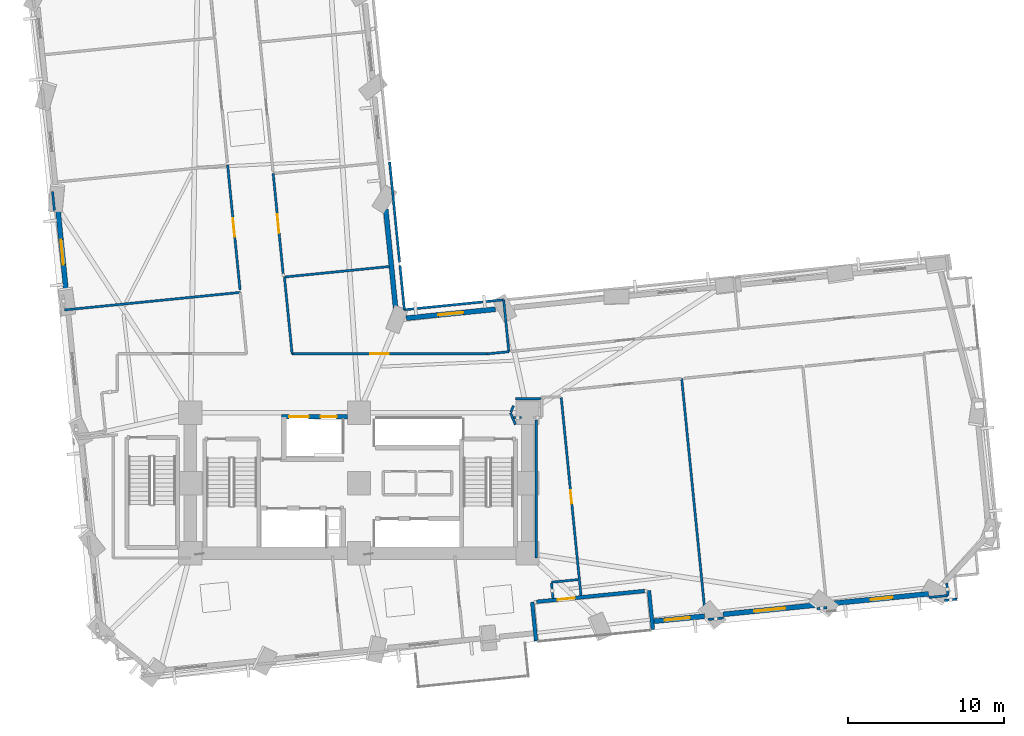
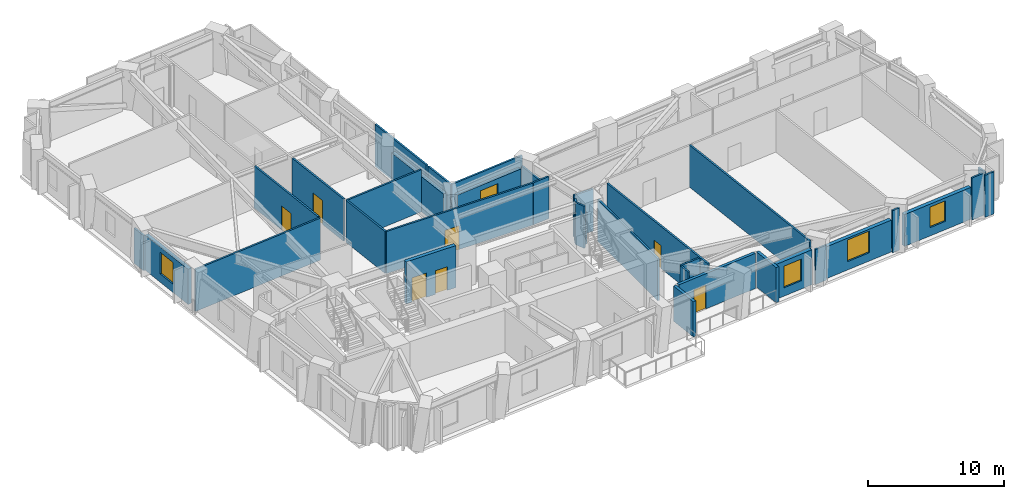
# One storey, part 9 of 16: 36 walls, 7 doors, 5 windows, 12 openings.
"""IFC4 building model written with IfcOpenShell, lengths in metres."""

from ifc_helpers import new_model, si_unit, direction, frame, frame_2d, origin, place, context, subcontext, project, spatial, rectangle, extrude, material, layer, layer_set, type_object, element, fill, save


model = new_model("IFC4")

# Units and contexts
model_context = context("Model", 3, precision=1e-05, world=origin(), true_north=direction((0.0, 1.0)))
body_context = subcontext(model_context, "Body", "Model", "MODEL_VIEW")
ifc_project = project(units=[si_unit("LENGTHUNIT", "METRE"), si_unit("AREAUNIT", "SQUARE_METRE"), si_unit("VOLUMEUNIT", "CUBIC_METRE"), si_unit("PLANEANGLEUNIT", "RADIAN"), si_unit("MASSUNIT", "GRAM", prefix="KILO")], contexts=[model_context])

# Site, building, storey
site_placement = place(None, origin())
site = spatial("IfcSite", under=ifc_project, at=site_placement, CompositionType="ELEMENT")
building_placement = place(site_placement, origin())
building = spatial("IfcBuilding", under=site, at=building_placement, Name="Gaonmaruhae Medical Tower", CompositionType="ELEMENT")
storey_placement = place(building_placement, frame((0.0, 0.0, 47.0)))
storey = spatial("IfcBuildingStorey", under=building, at=storey_placement, Name="L10", CompositionType="ELEMENT", Elevation=47.0)

# Wall, opening, door
ifc_material_1 = material(Name="Precast concrete C45/55", Category="concrete")
ifc_layer_1 = layer(ifc_material_1, 0.239990234375)
ifc_layer_set_1 = layer_set([ifc_layer_1], Name="Precast concrete C45/55")
wall_type_1 = type_object("IfcWallType", Name="EW-240 Ribbon & Shelter Insulated Precast Wall", PredefinedType="SOLIDWALL", material=ifc_layer_set_1)
wall_1_placement = place(storey_placement, frame((43.10205078125, 5.3876953125, 0.0), z_axis=(0.0, 0.0, 1.0), x_axis=(-0.995056966999, -0.099305752232, 0.0)))
wall_1 = element("IfcWall", 1, at=wall_1_placement, inside=storey, type_object=wall_type_1, Name="L10 Recessed Terrace Enclosure Wall TERB", PredefinedType="SOLIDWALL", context=body_context, shape_type="SweptSolid", body=[
    extrude(rectangle(XDim=6.9599609375, YDim=0.239990234375, at=frame_2d((3.47998046875, 0.0))), origin(), (0.0, 0.0, 1.0), 3.1650390625),
])
opening_1_placement = place(wall_1_placement, frame((4.48681640625, 0.0, 0.0)))
opening_1 = element("IfcOpeningElement", 2, at=opening_1_placement, cuts=wall_1, Name="Opening TD-01", PredefinedType="OPENING", context=body_context, shape_type="SweptSolid", body=[
    extrude(rectangle(XDim=1.10009765625, YDim=2.14990234375, at=frame_2d((0.550048828125, 1.074951171875))), frame((0.0, 0.1298828125, 0.0), z_axis=(0.0, -1.0, 0.0), x_axis=(1.0, 0.0, 0.0)), (0.0, 0.0, 1.0), 0.260009765625),
])
ifc_material_2 = material(Name="Anodised aluminium and toughened safety glass", Category="aluminium")
door_type_1 = type_object("IfcDoorType", Name="TD-01 Terrace & Sky Garden Glazed Door 1100x2150", OperationType="NOTDEFINED", PredefinedType="DOOR", material=ifc_material_2)
door_1_placement = place(opening_1_placement, origin())
door_1 = element("IfcDoor", 3, at=door_1_placement, inside=storey, type_object=door_type_1, Name="L10 Outdoor Terrace Access Door SLB-L10-TER", OperationType="SINGLE_SWING_RIGHT", OverallHeight=2.14990234375, OverallWidth=1.10009765625, PredefinedType="DOOR", context=body_context, shape_type="SweptSolid", body=[
    extrude(rectangle(XDim=1.10009765625, YDim=2.14990234375, at=frame_2d((0.550048828125, 1.074951171875))), frame((0.0, 0.02490234375, 0.0), z_axis=(0.0, -1.0, 0.0), x_axis=(1.0, 0.0, 0.0)), (0.0, 0.0, 1.0), 0.050048828125),
])
fill(opening_1, door_1)

# Walls
wall_2_placement = place(storey_placement, frame((35.897705078125, 4.668701171875, 0.0), z_axis=(0.0, 0.0, 1.0), x_axis=(0.099310350221, -0.995056508113, 0.0)))
element("IfcWall", 4, at=wall_2_placement, inside=storey, type_object=wall_type_1, Name="L10 Recessed Terrace Enclosure Wall TERL", PredefinedType="SOLIDWALL", context=body_context, shape_type="SweptSolid", body=[
    extrude(rectangle(XDim=2.500244140625, YDim=0.239990234375, at=frame_2d((1.25, 0.0))), origin(), (0.0, 0.0, 1.0), 3.1650390625),
])
wall_3_placement = place(storey_placement, frame((43.62890625, 2.927978515625, 0.0), z_axis=(0.0, 0.0, 1.0), x_axis=(-0.099320000899, 0.995055544893, 0.0)))
element("IfcWall", 5, at=wall_3_placement, inside=storey, type_object=wall_type_1, Name="L10 Recessed Terrace Enclosure Wall TERR", PredefinedType="SOLIDWALL", context=body_context, shape_type="SweptSolid", body=[
    extrude(rectangle(XDim=2.5, YDim=0.239990234375, at=frame_2d((1.25, 0.0))), origin(), (0.0, 0.0, 1.0), 3.1650390625),
])

# Wall, opening, window
ifc_layer_2 = layer(ifc_material_1, 0.320068359375)
ifc_layer_set_2 = layer_set([ifc_layer_2], Name="Precast concrete C45/55")
wall_type_2 = type_object("IfcWallType", Name="EW-320 Lower Precast Masonry-Frame Facade Wall", PredefinedType="SOLIDWALL", material=ifc_layer_set_2)
wall_4_placement = place(storey_placement, frame((46.938232421875, 3.770751953125, 0.0), z_axis=(0.0, 0.0, 1.0), x_axis=(-0.995059489142, -0.099280476769, 0.0)))
wall_4 = element("IfcWall", 6, at=wall_4_placement, inside=storey, type_object=wall_type_2, Name="L10 Precast Masonry-Frame Wall S05-S06", PredefinedType="SOLIDWALL", context=body_context, shape_type="SweptSolid", body=[
    extrude(rectangle(XDim=3.356689453125, YDim=0.320068359375, at=frame_2d((1.67822265625, 0.0))), origin(), (0.0, 0.0, 1.0), 3.14501953125),
])
opening_2_placement = place(wall_4_placement, frame((0.955078125, 0.0, 0.75)))
opening_2 = element("IfcOpeningElement", 7, at=opening_2_placement, cuts=wall_4, Name="Opening WN-01", PredefinedType="OPENING", context=body_context, shape_type="SweptSolid", body=[
    extrude(rectangle(XDim=1.60009765625, YDim=1.949951171875, at=frame_2d((0.800048828125, 0.97509765625))), frame((0.0, 0.169921875, 0.0), z_axis=(0.0, -1.0, 0.0), x_axis=(1.0, 0.0, 0.0)), (0.0, 0.0, 1.0), 0.340087890625),
])
ifc_material_3 = material(Name="Anodised aluminium and Low-E double glazing", Category="aluminium")
window_type_1 = type_object("IfcWindowType", Name="WN-01 Ward Punched Acoustic Window 1600x1950", PartitioningType="SINGLE_PANEL", PredefinedType="WINDOW", material=ifc_material_3)
window_1_placement = place(opening_2_placement, origin())
window_1 = element("IfcWindow", 8, at=window_1_placement, inside=storey, type_object=window_type_1, Name="L10 Modular Facade Window S05", OverallHeight=1.949951171875, OverallWidth=1.60009765625, PartitioningType="SINGLE_PANEL", PredefinedType="WINDOW", context=body_context, shape_type="SweptSolid", body=[
    extrude(rectangle(XDim=1.60009765625, YDim=1.949951171875, at=frame_2d((0.800048828125, 0.97509765625))), frame((0.0, 0.030029296875, 0.0), z_axis=(0.0, -1.0, 0.0), x_axis=(1.0, 0.0, 0.0)), (0.0, 0.0, 1.0), 0.06005859375),
])
fill(opening_2, window_1)

wall_5_placement = place(storey_placement, frame((54.114990234375, 4.487060546875, 0.0), z_axis=(0.0, 0.0, 1.0), x_axis=(-0.99505526564, -0.099322798603, 0.0)))
wall_5 = element("IfcWall", 9, at=wall_5_placement, inside=storey, type_object=wall_type_2, Name="L10 Precast Masonry-Frame Wall S06-S07", PredefinedType="SOLIDWALL", context=body_context, shape_type="SweptSolid", body=[
    extrude(rectangle(XDim=6.012451171875, YDim=0.320068359375, at=frame_2d((3.00634765625, 0.0))), origin(), (0.0, 0.0, 1.0), 2.864990234375),
])
opening_3_placement = place(wall_5_placement, frame((2.009033203125, 0.0, 0.75)))
opening_3 = element("IfcOpeningElement", 10, at=opening_3_placement, cuts=wall_5, Name="Opening WN-02", PredefinedType="OPENING", context=body_context, shape_type="SweptSolid", body=[
    extrude(rectangle(XDim=2.0, YDim=1.949951171875, at=frame_2d((1.0, 0.97509765625))), frame((0.0, 0.169921875, 0.0), z_axis=(0.0, -1.0, 0.0), x_axis=(1.0, 0.0, 0.0)), (0.0, 0.0, 1.0), 0.340087890625),
])
window_type_2 = type_object("IfcWindowType", Name="WN-02 Double-Bed Ward Punched Window 2000x1950", PartitioningType="SINGLE_PANEL", PredefinedType="WINDOW", material=ifc_material_3)
window_2_placement = place(opening_3_placement, origin())
window_2 = element("IfcWindow", 11, at=window_2_placement, inside=storey, type_object=window_type_2, Name="L10 Modular Facade Window S06", OverallHeight=1.949951171875, OverallWidth=2.0, PartitioningType="SINGLE_PANEL", PredefinedType="WINDOW", context=body_context, shape_type="SweptSolid", body=[
    extrude(rectangle(XDim=2.0, YDim=1.949951171875, at=frame_2d((1.0, 0.97509765625))), frame((0.0, 0.030029296875, 0.0), z_axis=(0.0, -1.0, 0.0), x_axis=(1.0, 0.0, 0.0)), (0.0, 0.0, 1.0), 0.06005859375),
])
fill(opening_3, window_2)

wall_6_placement = place(storey_placement, frame((61.298095703125, 5.2041015625, 0.0), z_axis=(0.0, 0.0, 1.0), x_axis=(-0.99505556879, -0.099319761473, 0.0)))
wall_6 = element("IfcWall", 12, at=wall_6_placement, inside=storey, type_object=wall_type_2, Name="L10 Precast Masonry-Frame Wall S07-S08", PredefinedType="SOLIDWALL", context=body_context, shape_type="SweptSolid", body=[
    extrude(rectangle(XDim=6.04443359375, YDim=0.320068359375, at=frame_2d((3.022216796875, 0.0))), origin(), (0.0, 0.0, 1.0), 2.864990234375),
])
opening_4_placement = place(wall_6_placement, frame((2.32666015625, 0.0, 0.75)))
opening_4 = element("IfcOpeningElement", 13, at=opening_4_placement, cuts=wall_6, Name="Opening WN-03", PredefinedType="OPENING", context=body_context, shape_type="SweptSolid", body=[
    extrude(rectangle(XDim=1.39990234375, YDim=1.85009765625, at=frame_2d((0.699951171875, 0.925048828125))), frame((0.0, 0.169921875, 0.0), z_axis=(0.0, -1.0, 0.0), x_axis=(1.0, 0.0, 0.0)), (0.0, 0.0, 1.0), 0.340087890625),
])
window_type_3 = type_object("IfcWindowType", Name="WN-03 Isolation Ward Punched Window 1400x1850", PartitioningType="SINGLE_PANEL", PredefinedType="WINDOW", material=ifc_material_3)
window_3_placement = place(opening_4_placement, origin())
window_3 = element("IfcWindow", 14, at=window_3_placement, inside=storey, type_object=window_type_3, Name="L10 Modular Facade Window S07", OverallHeight=1.85009765625, OverallWidth=1.39990234375, PartitioningType="SINGLE_PANEL", PredefinedType="WINDOW", context=body_context, shape_type="SweptSolid", body=[
    extrude(rectangle(XDim=1.39990234375, YDim=1.85009765625, at=frame_2d((0.699951171875, 0.925048828125))), frame((0.0, 0.030029296875, 0.0), z_axis=(0.0, -1.0, 0.0), x_axis=(1.0, 0.0, 0.0)), (0.0, 0.0, 1.0), 0.06005859375),
])
fill(opening_4, window_3)

wall_7_placement = place(storey_placement, frame((27.83056640625, 22.867431640625, 0.0), z_axis=(0.0, 0.0, 1.0), x_axis=(0.995057817693, 0.099297227797, 0.0)))
wall_7 = element("IfcWall", 15, at=wall_7_placement, inside=storey, type_object=wall_type_2, Name="L10 Precast Masonry-Frame Wall EN04-KN01", PredefinedType="SOLIDWALL", context=body_context, shape_type="SweptSolid", body=[
    extrude(rectangle(XDim=5.736083984375, YDim=0.320068359375, at=frame_2d((2.8681640625, 0.0))), origin(), (0.0, 0.0, 1.0), 3.1650390625),
])
opening_5_placement = place(wall_7_placement, frame((2.068603515625, 0.0, 0.75)))
opening_5 = element("IfcOpeningElement", 16, at=opening_5_placement, cuts=wall_7, Name="Opening WN-01", PredefinedType="OPENING", context=body_context, shape_type="SweptSolid", body=[
    extrude(rectangle(XDim=1.60009765625, YDim=1.949951171875, at=frame_2d((0.800048828125, 0.97509765625))), frame((0.0, 0.169921875, 0.0), z_axis=(0.0, -1.0, 0.0), x_axis=(1.0, 0.0, 0.0)), (0.0, 0.0, 1.0), 0.340087890625),
])
window_4_placement = place(opening_5_placement, origin())
window_4 = element("IfcWindow", 17, at=window_4_placement, inside=storey, type_object=window_type_1, Name="L10 Modular Facade Window EN04", OverallHeight=1.949951171875, OverallWidth=1.60009765625, PartitioningType="SINGLE_PANEL", PredefinedType="WINDOW", context=body_context, shape_type="SweptSolid", body=[
    extrude(rectangle(XDim=1.60009765625, YDim=1.949951171875, at=frame_2d((0.800048828125, 0.97509765625))), frame((0.0, 0.030029296875, 0.0), z_axis=(0.0, -1.0, 0.0), x_axis=(1.0, 0.0, 0.0)), (0.0, 0.0, 1.0), 0.06005859375),
])
fill(opening_5, window_4)

# Wall
wall_8_placement = place(storey_placement, frame((27.16162109375, 23.35693359375, 0.0), z_axis=(0.0, 0.0, 1.0), x_axis=(-0.099359482889, 0.995051603265, 0.0)))
element("IfcWall", 18, at=wall_8_placement, inside=storey, type_object=wall_type_2, Name="L10 Precast Masonry-Frame Wall KN01-NE01", PredefinedType="SOLIDWALL", context=body_context, shape_type="SweptSolid", body=[
    extrude(rectangle(XDim=6.535888671875, YDim=0.320068359375, at=frame_2d((3.26806640625, 0.0))), origin(), (0.0, 0.0, 1.0), 3.1650390625),
])

# Wall, opening, window
wall_9_placement = place(storey_placement, frame((6.05419921875, 24.39208984375, 0.0), z_axis=(0.0, 0.0, 1.0), x_axis=(-0.099308134144, 0.995056729284, 0.0)))
wall_9 = element("IfcWall", 19, at=wall_9_placement, inside=storey, type_object=wall_type_2, Name="L10 Precast Masonry-Frame Wall W03-W04", PredefinedType="SOLIDWALL", context=body_context, shape_type="SweptSolid", body=[
    extrude(rectangle(XDim=5.43798828125, YDim=0.320068359375, at=frame_2d((2.718994140625, 0.0))), origin(), (0.0, 0.0, 1.0), 3.1650390625),
])
opening_6_placement = place(wall_9_placement, frame((1.918212890625, 0.0, 0.75)))
opening_6 = element("IfcOpeningElement", 20, at=opening_6_placement, cuts=wall_9, Name="Opening WN-01", PredefinedType="OPENING", context=body_context, shape_type="SweptSolid", body=[
    extrude(rectangle(XDim=1.60009765625, YDim=1.949951171875, at=frame_2d((0.800048828125, 0.97509765625))), frame((0.0, 0.169921875, 0.0), z_axis=(0.0, -1.0, 0.0), x_axis=(1.0, 0.0, 0.0)), (0.0, 0.0, 1.0), 0.340087890625),
])
window_5_placement = place(opening_6_placement, origin())
window_5 = element("IfcWindow", 21, at=window_5_placement, inside=storey, type_object=window_type_1, Name="L10 Modular Facade Window W03", OverallHeight=1.949951171875, OverallWidth=1.60009765625, PartitioningType="SINGLE_PANEL", PredefinedType="WINDOW", context=body_context, shape_type="SweptSolid", body=[
    extrude(rectangle(XDim=1.60009765625, YDim=1.949951171875, at=frame_2d((0.800048828125, 0.97509765625))), frame((0.0, 0.030029296875, 0.0), z_axis=(0.0, -1.0, 0.0), x_axis=(1.0, 0.0, 0.0)), (0.0, 0.0, 1.0), 0.06005859375),
])
fill(opening_6, window_5)

# Walls
ifc_material_4 = material(Name="Gypsum board partition", Category="gypsum")
ifc_layer_3 = layer(ifc_material_4, 0.14990234375)
ifc_layer_set_3 = layer_set([ifc_layer_3], Name="Gypsum board partition")
wall_type_3 = type_object("IfcWallType", Name="PW-150 Rated Clinical Corridor Partition", PredefinedType="PARTITIONING", material=ifc_layer_set_3)
wall_10_placement = place(storey_placement, frame((36.14990234375, 7.5, 0.0), z_axis=(0.0, 0.0, 1.0), x_axis=(0.0, 1.0, 0.0)))
element("IfcWall", 22, at=wall_10_placement, inside=storey, type_object=wall_type_3, Name="L10 Interior Partition L10-SUP04-23", PredefinedType="PARTITIONING", context=body_context, shape_type="SweptSolid", body=[
    extrude(rectangle(XDim=8.840087890625, YDim=0.14990234375, at=frame_2d((4.419921875, 0.0))), origin(), (0.0, 0.0, 1.0), 3.780029296875),
])
wall_11_placement = place(storey_placement, frame((34.822021484375, 16.050048828125, 0.0), z_axis=(0.0, 0.0, 1.0), x_axis=(-0.382050639738, 0.924141389981, 0.0)))
element("IfcWall", 23, at=wall_11_placement, inside=storey, type_object=wall_type_3, Name="L10 Interior Partition L10-SUP04-24", PredefinedType="PARTITIONING", context=body_context, shape_type="SweptSolid", body=[
    extrude(rectangle(XDim=0.8115234375, YDim=0.14990234375, at=frame_2d((0.40576171875, 0.0))), origin(), (0.0, 0.0, 1.0), 3.780029296875),
])
wall_12_placement = place(storey_placement, frame((34.531005859375, 16.845947265625, 0.0), z_axis=(0.0, 0.0, 1.0), x_axis=(0.382612233621, 0.923909020782, 0.0)))
element("IfcWall", 24, at=wall_12_placement, inside=storey, type_object=wall_type_3, Name="L10 Interior Partition L10-SUP04-25", PredefinedType="PARTITIONING", context=body_context, shape_type="SweptSolid", body=[
    extrude(rectangle(XDim=0.441650390625, YDim=0.14990234375, at=frame_2d((0.220703125, 0.0))), origin(), (0.0, 0.0, 1.0), 3.780029296875),
])
wall_13_placement = place(storey_placement, frame((34.699951171875, 16.5, 0.0), z_axis=(0.0, 0.0, 1.0), x_axis=(1.0, 0.0, 0.0)))
element("IfcWall", 25, at=wall_13_placement, inside=storey, type_object=wall_type_3, Name="L10 Interior Partition L10-SUP04-26", PredefinedType="PARTITIONING", context=body_context, shape_type="SweptSolid", body=[
    extrude(rectangle(XDim=0.525146484375, YDim=0.14990234375, at=frame_2d((0.2626953125, 0.0))), origin(), (0.0, 0.0, 1.0), 2.864990234375),
])
wall_14_placement = place(storey_placement, frame((36.449951171875, 17.699951171875, 0.0), z_axis=(0.0, 0.0, 1.0), x_axis=(-1.0, 0.0, 0.0)))
element("IfcWall", 26, at=wall_14_placement, inside=storey, type_object=wall_type_3, Name="L10 Interior Partition L10-SUP04-29", PredefinedType="PARTITIONING", context=body_context, shape_type="SweptSolid", body=[
    extrude(rectangle(XDim=1.619873046875, YDim=0.14990234375, at=frame_2d((0.81005859375, 0.0))), origin(), (0.0, 0.0, 1.0), 3.780029296875),
])

# Wall, opening, door
wall_15_placement = place(storey_placement, frame((37.759033203125, 17.77001953125, 0.0), z_axis=(0.0, 0.0, 1.0), x_axis=(0.099304762274, -0.995057065796, 0.0)))
wall_15 = element("IfcWall", 27, at=wall_15_placement, inside=storey, type_object=wall_type_3, Name="L10 Interior Partition L10-SUP04-31", PredefinedType="PARTITIONING", context=body_context, shape_type="SweptSolid", body=[
    extrude(rectangle(XDim=12.757080078125, YDim=0.14990234375, at=frame_2d((6.37841796875, 0.0))), origin(), (0.0, 0.0, 1.0), 3.780029296875),
])
opening_7_placement = place(wall_15_placement, frame((5.948486328125, 0.0, 0.0)))
opening_7 = element("IfcOpeningElement", 28, at=opening_7_placement, cuts=wall_15, Name="Opening AD-01", PredefinedType="OPENING", context=body_context, shape_type="SweptSolid", body=[
    extrude(rectangle(XDim=0.860107421875, YDim=2.06005859375, at=frame_2d((0.43017578125, 1.030029296875))), frame((0.0, 0.0849609375, 0.0), z_axis=(0.0, -1.0, 0.0), x_axis=(1.0, 0.0, 0.0)), (0.0, 0.0, 1.0), 0.169921875),
])
ifc_material_5 = material(Name="Powder-coated steel access door", Category="steel")
door_type_2 = type_object("IfcDoorType", Name="AD-01 Riser & Closet Access Fire Door 860x2060", OperationType="NOTDEFINED", PredefinedType="DOOR", material=ifc_material_5)
door_2_placement = place(opening_7_placement, origin())
door_2 = element("IfcDoor", 29, at=door_2_placement, inside=storey, type_object=door_type_2, Name="L10 Clinical Biomedical Charting Office Sliding Door", OperationType="SLIDING_TO_LEFT", OverallHeight=2.06005859375, OverallWidth=0.860107421875, PredefinedType="DOOR", context=body_context, shape_type="SweptSolid", body=[
    extrude(rectangle(XDim=0.860107421875, YDim=2.06005859375, at=frame_2d((0.43017578125, 1.030029296875))), frame((0.0, 0.02490234375, 0.0), z_axis=(0.0, -1.0, 0.0), x_axis=(1.0, 0.0, 0.0)), (0.0, 0.0, 1.0), 0.050048828125),
])
fill(opening_7, door_2)

# Walls
wall_16_placement = place(storey_placement, frame((38.822021484375, 6.115966796875, 0.0), z_axis=(0.0, 0.0, 1.0), x_axis=(-0.995052813777, -0.099347359275, 0.0)))
element("IfcWall", 30, at=wall_16_placement, inside=storey, type_object=wall_type_3, Name="L10 Interior Partition L10-SUP04-32", PredefinedType="PARTITIONING", context=body_context, shape_type="SweptSolid", body=[
    extrude(rectangle(XDim=1.700439453125, YDim=0.14990234375, at=frame_2d((0.85009765625, 0.0))), origin(), (0.0, 0.0, 1.0), 3.780029296875),
])
wall_17_placement = place(storey_placement, frame((37.135009765625, 5.89697265625, 0.0), z_axis=(0.0, 0.0, 1.0), x_axis=(0.099696320529, -0.995017911232, 0.0)))
element("IfcWall", 31, at=wall_17_placement, inside=storey, type_object=wall_type_3, Name="L10 Interior Partition L10-SUP04-33", PredefinedType="PARTITIONING", context=body_context, shape_type="SweptSolid", body=[
    extrude(rectangle(XDim=1.00390625, YDim=0.14990234375, at=frame_2d((0.501953125, 0.0))), origin(), (0.0, 0.0, 1.0), 3.780029296875),
])
wall_18_placement = place(storey_placement, frame((45.47509765625, 19.0009765625, 0.0), z_axis=(0.0, 0.0, 1.0), x_axis=(0.099277568745, -0.995059779282, 0.0)))
element("IfcWall", 32, at=wall_18_placement, inside=storey, type_object=wall_type_3, Name="L10 Interior Partition L10-SUP05-36", PredefinedType="PARTITIONING", context=body_context, shape_type="SweptSolid", body=[
    extrude(rectangle(XDim=15.177978515625, YDim=0.14990234375, at=frame_2d((7.5888671875, 0.0))), origin(), (0.0, 0.0, 1.0), 3.780029296875),
])
wall_19_placement = place(storey_placement, frame((54.779052734375, 4.322021484375, 0.0), z_axis=(0.0, 0.0, 1.0), x_axis=(-0.995059675203, -0.09927861192, 0.0)))
element("IfcWall", 33, at=wall_19_placement, inside=storey, type_object=wall_type_3, Name="L10 Interior Partition L10-SUP06-39", PredefinedType="PARTITIONING", context=body_context, shape_type="SweptSolid", body=[
    extrude(rectangle(XDim=0.644287109375, YDim=0.14990234375, at=frame_2d((0.322265625, 0.0))), origin(), (0.0, 0.0, 1.0), 3.780029296875),
])
wall_20_placement = place(storey_placement, frame((48.155029296875, 3.660888671875, 0.0), z_axis=(0.0, 0.0, 1.0), x_axis=(-0.99503719021, -0.099503719021, 0.0)))
element("IfcWall", 34, at=wall_20_placement, inside=storey, type_object=wall_type_3, Name="L10 Interior Partition L10-SUP06-40", PredefinedType="PARTITIONING", context=body_context, shape_type="SweptSolid", body=[
    extrude(rectangle(XDim=0.98388671875, YDim=0.14990234375, at=frame_2d((0.491943359375, 0.0))), origin(), (0.0, 0.0, 1.0), 3.14501953125),
])
wall_21_placement = place(storey_placement, frame((62.4609375, 5.885009765625, 0.0), z_axis=(0.0, 0.0, 1.0), x_axis=(0.099869938679, -0.995000500175, 0.0)))
element("IfcWall", 35, at=wall_21_placement, inside=storey, type_object=wall_type_3, Name="L10 Interior Partition L10-SUP07-43", PredefinedType="PARTITIONING", context=body_context, shape_type="SweptSolid", body=[
    extrude(rectangle(XDim=0.7919921875, YDim=0.14990234375, at=frame_2d((0.39599609375, 0.0))), origin(), (0.0, 0.0, 1.0), 3.780029296875),
])
wall_22_placement = place(storey_placement, frame((62.5400390625, 5.096923828125, 0.0), z_axis=(0.0, 0.0, 1.0), x_axis=(-0.995043107884, -0.099444524501, 0.0)))
element("IfcWall", 36, at=wall_22_placement, inside=storey, type_object=wall_type_3, Name="L10 Interior Partition L10-SUP07-44", PredefinedType="PARTITIONING", context=body_context, shape_type="SweptSolid", body=[
    extrude(rectangle(XDim=1.22509765625, YDim=0.14990234375, at=frame_2d((0.612548828125, 0.0))), origin(), (0.0, 0.0, 1.0), 3.780029296875),
])
wall_23_placement = place(storey_placement, frame((5.923095703125, 23.39404296875, 0.0), z_axis=(0.0, 0.0, 1.0), x_axis=(0.995058076509, 0.099294634167, 0.0)))
element("IfcWall", 37, at=wall_23_placement, inside=storey, type_object=wall_type_3, Name="L10 Interior Partition L10-WOF08-50", PredefinedType="PARTITIONING", context=body_context, shape_type="SweptSolid", body=[
    extrude(rectangle(XDim=11.329833984375, YDim=0.14990234375, at=frame_2d((5.6650390625, 0.0))), origin(), (0.0, 0.0, 1.0), 3.780029296875),
])

# Wall, opening, door
wall_24_placement = place(storey_placement, frame((16.382080078125, 32.678955078125, 0.0), z_axis=(0.0, 0.0, 1.0), x_axis=(0.099359401625, -0.995051611379, 0.0)))
wall_24 = element("IfcWall", 38, at=wall_24_placement, inside=storey, type_object=wall_type_3, Name="L10 Interior Partition L10-WOF09-54", PredefinedType="PARTITIONING", context=body_context, shape_type="SweptSolid", body=[
    extrude(rectangle(XDim=8.039794921875, YDim=0.14990234375, at=frame_2d((4.02001953125, 0.0))), origin(), (0.0, 0.0, 1.0), 3.780029296875),
])
opening_8_placement = place(wall_24_placement, frame((3.419921875, 0.0, 0.0)))
opening_8 = element("IfcOpeningElement", 39, at=opening_8_placement, cuts=wall_24, Name="Opening CD-02", PredefinedType="OPENING", context=body_context, shape_type="SweptSolid", body=[
    extrude(rectangle(XDim=1.199951171875, YDim=2.14990234375, at=frame_2d((0.60009765625, 1.074951171875))), frame((0.0, 0.0849609375, 0.0), z_axis=(0.0, -1.0, 0.0), x_axis=(1.0, 0.0, 0.0)), (0.0, 0.0, 1.0), 0.169921875),
])
ifc_material_6 = material(Name="Antimicrobial laminate timber fire door", Category="wood")
door_type_3 = type_object("IfcDoorType", Name="CD-02 Clinical Treatment & Procedure Door 1200x2150", OperationType="NOTDEFINED", PredefinedType="DOOR", material=ifc_material_6)
door_3_placement = place(opening_8_placement, origin())
door_3 = element("IfcDoor", 40, at=door_3_placement, inside=storey, type_object=door_type_3, Name="L10 Ward Physician Reporting Office Door", OperationType="SINGLE_SWING_LEFT", OverallHeight=2.14990234375, OverallWidth=1.199951171875, PredefinedType="DOOR", context=body_context, shape_type="SweptSolid", body=[
    extrude(rectangle(XDim=1.199951171875, YDim=2.14990234375, at=frame_2d((0.60009765625, 1.074951171875))), frame((0.0, 0.02490234375, 0.0), z_axis=(0.0, -1.0, 0.0), x_axis=(1.0, 0.0, 0.0)), (0.0, 0.0, 1.0), 0.050048828125),
])
fill(opening_8, door_3)

# Walls
wall_25_placement = place(storey_placement, frame((5.284912109375, 29.780029296875, 0.0), z_axis=(0.0, 0.0, 1.0), x_axis=(-0.099243554259, 0.995063172335, 0.0)))
element("IfcWall", 41, at=wall_25_placement, inside=storey, type_object=wall_type_3, Name="L10 Interior Partition L10-WOF09-56", PredefinedType="PARTITIONING", context=body_context, shape_type="SweptSolid", body=[
    extrude(rectangle(XDim=1.207763671875, YDim=0.14990234375, at=frame_2d((0.60400390625, 0.0))), origin(), (0.0, 0.0, 1.0), 3.1650390625),
])
wall_26_placement = place(storey_placement, frame((20.02294921875, 25.5048828125, 0.0), z_axis=(0.0, 0.0, 1.0), x_axis=(0.995051137618, 0.099364146075, 0.0)))
element("IfcWall", 42, at=wall_26_placement, inside=storey, type_object=wall_type_3, Name="L10 Interior Partition L10-IE01-68", PredefinedType="PARTITIONING", context=body_context, shape_type="SweptSolid", body=[
    extrude(rectangle(XDim=6.75439453125, YDim=0.14990234375, at=frame_2d((3.377197265625, 0.0))), origin(), (0.0, 0.0, 1.0), 3.780029296875),
])
wall_27_placement = place(storey_placement, frame((27.426025390625, 26.243896484375, 0.0), z_axis=(0.0, 0.0, 1.0), x_axis=(0.099283198449, -0.995059217587, 0.0)))
element("IfcWall", 43, at=wall_27_placement, inside=storey, type_object=wall_type_3, Name="L10 Interior Partition L10-IE01-69", PredefinedType="PARTITIONING", context=body_context, shape_type="SweptSolid", body=[
    extrude(rectangle(XDim=2.85009765625, YDim=0.14990234375, at=frame_2d((1.425048828125, 0.0))), origin(), (0.0, 0.0, 1.0), 3.780029296875),
])
wall_28_placement = place(storey_placement, frame((27.708984375, 23.407958984375, 0.0), z_axis=(0.0, 0.0, 1.0), x_axis=(0.995054191243, 0.099333561751, 0.0)))
element("IfcWall", 44, at=wall_28_placement, inside=storey, type_object=wall_type_3, Name="L10 Interior Partition L10-IE01-70", PredefinedType="PARTITIONING", context=body_context, shape_type="SweptSolid", body=[
    extrude(rectangle(XDim=6.392822265625, YDim=0.14990234375, at=frame_2d((3.1962890625, 0.0))), origin(), (0.0, 0.0, 1.0), 3.780029296875),
])
wall_29_placement = place(storey_placement, frame((34.070068359375, 24.04296875, 0.0), z_axis=(0.0, 0.0, 1.0), x_axis=(0.099033343843, -0.995084115443, 0.0)))
element("IfcWall", 45, at=wall_29_placement, inside=storey, type_object=wall_type_3, Name="L10 Interior Partition L10-IE01-71", PredefinedType="PARTITIONING", context=body_context, shape_type="SweptSolid", body=[
    extrude(rectangle(XDim=3.34033203125, YDim=0.14990234375, at=frame_2d((1.670166015625, 0.0))), origin(), (0.0, 0.0, 1.0), 2.864990234375),
])
wall_30_placement = place(storey_placement, frame((34.40087890625, 20.718994140625, 0.0), z_axis=(0.0, 0.0, 1.0), x_axis=(-0.995085318307, -0.099021256754, 0.0)))
element("IfcWall", 46, at=wall_30_placement, inside=storey, type_object=wall_type_3, Name="L10 Interior Partition L10-IE01-72", PredefinedType="PARTITIONING", context=body_context, shape_type="SweptSolid", body=[
    extrude(rectangle(XDim=1.40283203125, YDim=0.14990234375, at=frame_2d((0.701416015625, 0.0))), origin(), (0.0, 0.0, 1.0), 3.780029296875),
])

# Wall, opening, door
wall_31_placement = place(storey_placement, frame((33.0048828125, 20.580078125, 0.0), z_axis=(0.0, 0.0, 1.0), x_axis=(-1.0, 0.0, 0.0)))
wall_31 = element("IfcWall", 47, at=wall_31_placement, inside=storey, type_object=wall_type_3, Name="L10 Interior Partition L10-IE01-73", PredefinedType="PARTITIONING", context=body_context, shape_type="SweptSolid", body=[
    extrude(rectangle(XDim=12.490966796875, YDim=0.14990234375, at=frame_2d((6.24560546875, 0.0))), origin(), (0.0, 0.0, 1.0), 3.780029296875),
])
opening_9_placement = place(wall_31_placement, frame((6.289306640625, 0.0, 0.0)))
opening_9 = element("IfcOpeningElement", 48, at=opening_9_placement, cuts=wall_31, Name="Opening CD-02", PredefinedType="OPENING", context=body_context, shape_type="SweptSolid", body=[
    extrude(rectangle(XDim=1.199951171875, YDim=2.14990234375, at=frame_2d((0.60009765625, 1.074951171875))), frame((0.0, 0.0849609375, 0.0), z_axis=(0.0, -1.0, 0.0), x_axis=(1.0, 0.0, 0.0)), (0.0, 0.0, 1.0), 0.169921875),
])
door_4_placement = place(opening_9_placement, origin())
door_4 = element("IfcDoor", 49, at=door_4_placement, inside=storey, type_object=door_type_3, Name="L10 Central Clinical Nurse Station Door", OperationType="SINGLE_SWING_RIGHT", OverallHeight=2.14990234375, OverallWidth=1.199951171875, PredefinedType="DOOR", context=body_context, shape_type="SweptSolid", body=[
    extrude(rectangle(XDim=1.199951171875, YDim=2.14990234375, at=frame_2d((0.60009765625, 1.074951171875))), frame((0.0, 0.02490234375, 0.0), z_axis=(0.0, -1.0, 0.0), x_axis=(1.0, 0.0, 0.0)), (0.0, 0.0, 1.0), 0.050048828125),
])
fill(opening_9, door_4)

# Wall
wall_32_placement = place(storey_placement, frame((20.513916015625, 20.580078125, 0.0), z_axis=(0.0, 0.0, 1.0), x_axis=(-0.099200901867, 0.995067425388, 0.0)))
element("IfcWall", 50, at=wall_32_placement, inside=storey, type_object=wall_type_3, Name="L10 Interior Partition L10-IE01-74", PredefinedType="PARTITIONING", context=body_context, shape_type="SweptSolid", body=[
    extrude(rectangle(XDim=4.94921875, YDim=0.14990234375, at=frame_2d((2.474609375, 0.0))), origin(), (0.0, 0.0, 1.0), 3.780029296875),
])

# Wall, opening, door
wall_33_placement = place(storey_placement, frame((19.94189453125, 25.7080078125, 0.0), z_axis=(0.0, 0.0, 1.0), x_axis=(-0.099208101616, 0.9950667076, 0.0)))
wall_33 = element("IfcWall", 51, at=wall_33_placement, inside=storey, type_object=wall_type_3, Name="L10 Interior Partition L10-IN01-84", PredefinedType="PARTITIONING", context=body_context, shape_type="SweptSolid", body=[
    extrude(rectangle(XDim=6.4599609375, YDim=0.14990234375, at=frame_2d((3.22998046875, 0.0))), origin(), (0.0, 0.0, 1.0), 3.780029296875),
])
opening_10_placement = place(wall_33_placement, frame((2.6298828125, 0.0, 0.0)))
opening_10 = element("IfcOpeningElement", 52, at=opening_10_placement, cuts=wall_33, Name="Opening CD-02", PredefinedType="OPENING", context=body_context, shape_type="SweptSolid", body=[
    extrude(rectangle(XDim=1.199951171875, YDim=2.14990234375, at=frame_2d((0.60009765625, 1.074951171875))), frame((0.0, 0.0849609375, 0.0), z_axis=(0.0, -1.0, 0.0), x_axis=(1.0, 0.0, 0.0)), (0.0, 0.0, 1.0), 0.169921875),
])
door_5_placement = place(opening_10_placement, origin())
door_5 = element("IfcDoor", 53, at=door_5_placement, inside=storey, type_object=door_type_3, Name="L10 Physician Consultation Office Door", OperationType="SINGLE_SWING_RIGHT", OverallHeight=2.14990234375, OverallWidth=1.199951171875, PredefinedType="DOOR", context=body_context, shape_type="SweptSolid", body=[
    extrude(rectangle(XDim=1.199951171875, YDim=2.14990234375, at=frame_2d((0.60009765625, 1.074951171875))), frame((0.0, 0.02490234375, 0.0), z_axis=(0.0, -1.0, 0.0), x_axis=(1.0, 0.0, 0.0)), (0.0, 0.0, 1.0), 0.050048828125),
])
fill(opening_10, door_5)

# Walls
wall_34_placement = place(storey_placement, frame((26.763916015625, 32.881103515625, 0.0), z_axis=(0.0, 0.0, 1.0), x_axis=(0.099241790824, -0.995063348212, 0.0)))
element("IfcWall", 54, at=wall_34_placement, inside=storey, type_object=wall_type_3, Name="L10 Interior Partition L10-IN01-86", PredefinedType="PARTITIONING", context=body_context, shape_type="SweptSolid", body=[
    extrude(rectangle(XDim=6.460205078125, YDim=0.14990234375, at=frame_2d((3.22998046875, 0.0))), origin(), (0.0, 0.0, 1.0), 3.780029296875),
])
wall_35_placement = place(storey_placement, frame((63.1259765625, 4.864013671875, 0.0), z_axis=(0.0, 0.0, 1.0), x_axis=(-0.99510183666, -0.09885511962, 0.0)))
element("IfcWall", 55, at=wall_35_placement, inside=storey, type_object=wall_type_3, Name="L10 Interior Partition L10-RM03-104", PredefinedType="PARTITIONING", context=body_context, shape_type="SweptSolid", body=[
    extrude(rectangle(XDim=0.81982421875, YDim=0.14990234375, at=frame_2d((0.409912109375, 0.0))), origin(), (0.0, 0.0, 1.0), 3.780029296875),
])

# Wall, openings, doors
ifc_material_7 = material(Name="Concrete C50/60", Category="concrete")
ifc_layer_4 = layer(ifc_material_7, 0.300048828125)
ifc_layer_set_4 = layer_set([ifc_layer_4], Name="Concrete C50/60")
wall_type_4 = type_object("IfcWallType", Name="SW-300 Stair & Lift Hoistway Shaft Wall", PredefinedType="SOLIDWALL", material=ifc_layer_set_4)
wall_36_placement = place(storey_placement, frame((19.85009765625, 16.550048828125, 0.0), z_axis=(0.0, 0.0, 1.0), x_axis=(1.0, 0.0, 0.0)))
wall_36 = element("IfcWall", 56, at=wall_36_placement, inside=storey, type_object=wall_type_4, Name="L10 Core Shear Wall CSW-NB", PredefinedType="SOLIDWALL", context=body_context, shape_type="SweptSolid", body=[
    extrude(rectangle(XDim=4.199951171875, YDim=0.300048828125, at=frame_2d((2.10009765625, 0.0))), origin(), (0.0, 0.0, 1.0), 3.780029296875),
])
opening_11_placement = place(wall_36_placement, frame((0.47509765625, 0.0, 0.0)))
opening_11 = element("IfcOpeningElement", 57, at=opening_11_placement, cuts=wall_36, Name="Opening LD-F1", PredefinedType="OPENING", context=body_context, shape_type="SweptSolid", body=[
    extrude(rectangle(XDim=1.25, YDim=2.179931640625, at=frame_2d((0.625, 1.08984375))), frame((0.0, 0.16015625, 0.0), z_axis=(0.0, -1.0, 0.0), x_axis=(1.0, 0.0, 0.0)), (0.0, 0.0, 1.0), 0.320068359375),
])
opening_12_placement = place(wall_36_placement, frame((2.489990234375, 0.0, 0.0)))
opening_12 = element("IfcOpeningElement", 58, at=opening_12_placement, cuts=wall_36, Name="Opening LD-S1", PredefinedType="OPENING", context=body_context, shape_type="SweptSolid", body=[
    extrude(rectangle(XDim=1.02001953125, YDim=2.1201171875, at=frame_2d((0.510009765625, 1.06005859375))), frame((0.0, 0.16015625, 0.0), z_axis=(0.0, -1.0, 0.0), x_axis=(1.0, 0.0, 0.0)), (0.0, 0.0, 1.0), 0.320068359375),
])
ifc_material_8 = material(Name="Brushed stainless steel 316L landing door", Category="steel")
door_type_4 = type_object("IfcDoorType", Name="LD-F1 Firefighting & Bed Lift Sliding Landing Door 1250x2180", OperationType="NOTDEFINED", PredefinedType="DOOR", material=ifc_material_8)
door_6_placement = place(opening_11_placement, origin())
door_6 = element("IfcDoor", 59, at=door_6_placement, inside=storey, type_object=door_type_4, Name="L10 Service/Bed Lift Landing Door BDL-01", OperationType="DOUBLE_DOOR_SLIDING", OverallHeight=2.179931640625, OverallWidth=1.25, PredefinedType="DOOR", context=body_context, shape_type="SweptSolid", body=[
    extrude(rectangle(XDim=1.25, YDim=2.179931640625, at=frame_2d((0.625, 1.08984375))), frame((0.0, 0.02490234375, 0.0), z_axis=(0.0, -1.0, 0.0), x_axis=(1.0, 0.0, 0.0)), (0.0, 0.0, 1.0), 0.050048828125),
])
fill(opening_11, door_6)
ifc_material_9 = material(Name="Brushed stainless steel 304 landing door", Category="steel")
door_type_5 = type_object("IfcDoorType", Name="LD-S1 Service Lift Sliding Landing Door 1020x2120", OperationType="NOTDEFINED", PredefinedType="DOOR", material=ifc_material_9)
door_7_placement = place(opening_12_placement, origin())
door_7 = element("IfcDoor", 60, at=door_7_placement, inside=storey, type_object=door_type_5, Name="L10 Service/Bed Lift Landing Door SVL-01", OperationType="SLIDING_TO_LEFT", OverallHeight=2.1201171875, OverallWidth=1.02001953125, PredefinedType="DOOR", context=body_context, shape_type="SweptSolid", body=[
    extrude(rectangle(XDim=1.02001953125, YDim=2.1201171875, at=frame_2d((0.510009765625, 1.06005859375))), frame((0.0, 0.02490234375, 0.0), z_axis=(0.0, -1.0, 0.0), x_axis=(1.0, 0.0, 0.0)), (0.0, 0.0, 1.0), 0.050048828125),
])
fill(opening_12, door_7)

save(model, "model.ifc")
